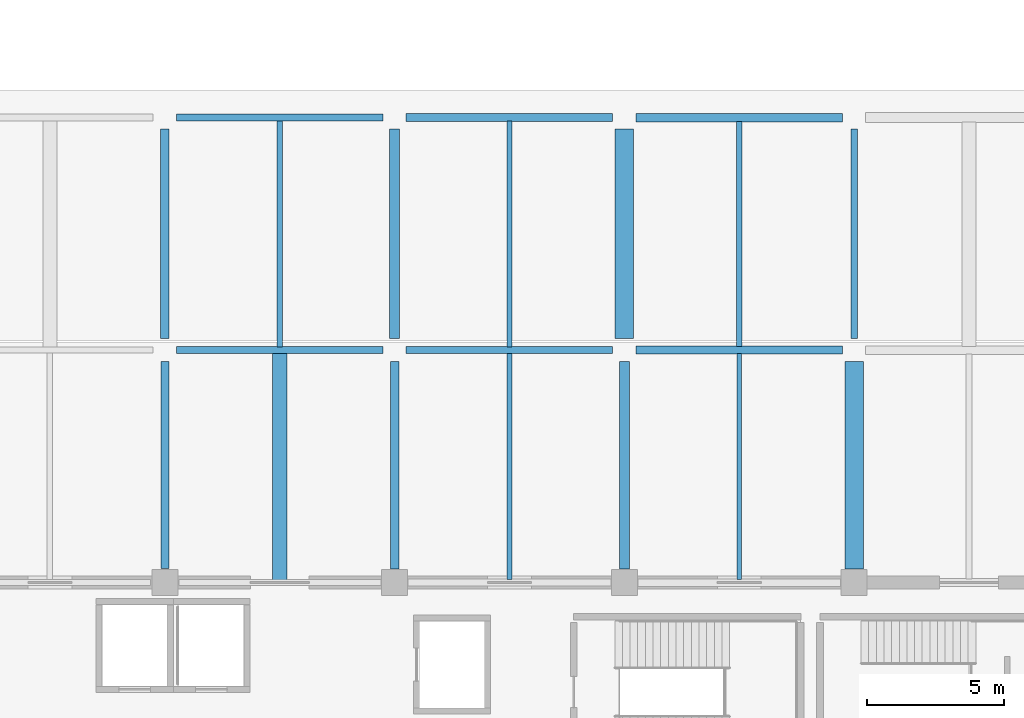
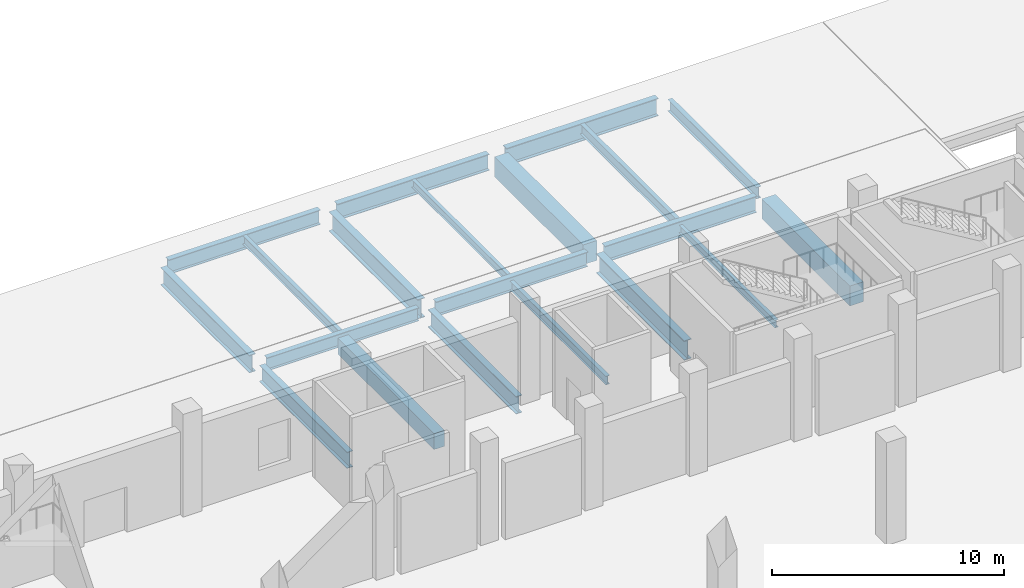
# One storey, part 42 of 107: 20 beams.
"""IFC4 building model written with IfcOpenShell, lengths in metres."""

from ifc_helpers import new_model, si_unit, direction, frame, origin, origin_2d, place, context, subcontext, project, spatial, rectangle, i_section, extrude, material, material_profile, profile_set, type_object, element, save


model = new_model("IFC4")

# Units and contexts
model_context = context("Model", 3, precision=1e-05, world=origin(), true_north=direction((0.0, 1.0)))
body_context = subcontext(model_context, "Body", "Model", "MODEL_VIEW")
ifc_project = project(units=[si_unit("LENGTHUNIT", "METRE"), si_unit("AREAUNIT", "SQUARE_METRE"), si_unit("VOLUMEUNIT", "CUBIC_METRE"), si_unit("PLANEANGLEUNIT", "RADIAN"), si_unit("MASSUNIT", "GRAM", prefix="KILO")], contexts=[model_context])

# Site, building, storey
site_placement = place(None, origin())
site = spatial("IfcSite", under=ifc_project, at=site_placement, CompositionType="ELEMENT")
building_placement = place(site_placement, origin())
building = spatial("IfcBuilding", under=site, at=building_placement, Name="Solvento Point Concert Hall", CompositionType="ELEMENT")
storey_placement = place(building_placement, origin())
storey = spatial("IfcBuildingStorey", under=building, at=storey_placement, Name="L00", CompositionType="ELEMENT", Elevation=0.0)

# Beams
ifc_material_1 = material(Name="Concrete C35/45", Category="concrete")
ifc_material_profile_1 = material_profile(ifc_material_1, rectangle(XDim=0.52001953125, YDim=0.840087890625, at=origin_2d()), Name="RC-BM-520X840")
ifc_profile_set_1 = profile_set([ifc_material_profile_1], Name="Concrete C35/45")
beam_type_1 = type_object("IfcBeamType", Name="Beam_RC_520x840", PredefinedType="BEAM", material=ifc_profile_set_1)
beam_1_placement = place(storey_placement, frame((103.800048828125, 93.592041015625, -0.85400390625), z_axis=(0.0, 1.0, 0.0), x_axis=(-1.0, 0.0, 0.0)))
element("IfcBeam", 1, at=beam_1_placement, inside=storey, type_object=beam_type_1, Name="Secondary floor joist B-54 L00", PredefinedType="BEAM", context=body_context, shape_type="SweptSolid", body=[
    extrude(rectangle(XDim=0.52001953125, YDim=0.840087890625, at=origin_2d()), origin(), (0.0, 0.0, 1.0), 8.294921875),
])
ifc_material_2 = material(Name="Structural Steel ASTM A992 Grade 50", Category="steel")
ifc_material_profile_2 = material_profile(ifc_material_2, i_section(OverallWidth=0.20947265625, OverallDepth=0.532958984375, WebThickness=0.01025390625, FlangeThickness=0.015625, at=origin_2d()), Name="W21X62")
ifc_profile_set_2 = profile_set([ifc_material_profile_2], Name="Structural Steel ASTM A992 Grade 50")
beam_type_2 = type_object("IfcBeamType", Name="Beam_W21X62", PredefinedType="BEAM", material=ifc_profile_set_2)
beam_2_placement = place(storey_placement, frame((120.60009765625, 102.131103515625, -0.510498046875), z_axis=(0.0, 1.0, 0.0), x_axis=(-1.0, 0.0, 0.0)))
element("IfcBeam", 2, at=beam_2_placement, inside=storey, type_object=beam_type_2, Name="Secondary floor joist B-25 L00", PredefinedType="BEAM", context=body_context, shape_type="SweptSolid", body=[
    extrude(i_section(OverallWidth=0.20947265625, OverallDepth=0.532958984375, WebThickness=0.01025390625, FlangeThickness=0.015625, at=origin_2d()), origin(), (0.0, 0.0, 1.0), 8.22998046875),
])
ifc_material_3 = material(Name="Structural Steel ASTM A992 Grade 50", Category="steel")
ifc_material_profile_3 = material_profile(ifc_material_3, i_section(OverallWidth=0.228515625, OverallDepth=0.60791015625, WebThickness=0.01123046875, FlangeThickness=0.017333984375, at=origin_2d()), Name="W24X76")
ifc_profile_set_3 = profile_set([ifc_material_profile_3], Name="Structural Steel ASTM A992 Grade 50")
beam_type_3 = type_object("IfcBeamType", Name="Beam_W24X76", PredefinedType="BEAM", material=ifc_profile_set_3)
beam_3_placement = place(storey_placement, frame((124.800048828125, 102.424072265625, -0.548095703125), z_axis=(0.0, 1.0, 0.0), x_axis=(-1.0, 0.0, 0.0)))
element("IfcBeam", 3, at=beam_3_placement, inside=storey, type_object=beam_type_3, Name="Primary girder B-42 L00", PredefinedType="BEAM", context=body_context, shape_type="SweptSolid", body=[
    extrude(i_section(OverallWidth=0.228515625, OverallDepth=0.60791015625, WebThickness=0.01123046875, FlangeThickness=0.017333984375, at=origin_2d()), origin(), (0.0, 0.0, 1.0), 7.65185546875),
])
ifc_material_4 = material(Name="Concrete C35/45", Category="concrete")
ifc_material_profile_4 = material_profile(ifc_material_4, rectangle(XDim=0.679931640625, YDim=1.050048828125, at=origin_2d()), Name="RC-BM-680X1050")
ifc_profile_set_4 = profile_set([ifc_material_profile_4], Name="Concrete C35/45")
beam_type_4 = type_object("IfcBeamType", Name="Girder_RC_680x1050", PredefinedType="USERDEFINED", material=ifc_profile_set_4)
beam_4_placement = place(storey_placement, frame((116.39990234375, 102.424072265625, -0.76904296875), z_axis=(0.0, 1.0, 0.0), x_axis=(-1.0, 0.0, 0.0)))
element("IfcBeam", 4, at=beam_4_placement, inside=storey, type_object=beam_type_4, Name="Primary girder B-91 L00", ObjectType="GIRDER", PredefinedType="USERDEFINED", context=body_context, shape_type="SweptSolid", body=[
    extrude(rectangle(XDim=0.679931640625, YDim=1.050048828125, at=origin_2d()), origin(), (0.0, 0.0, 1.0), 7.65185546875),
])
beam_5_placement = place(storey_placement, frame((124.800048828125, 93.993896484375, -0.76904296875), z_axis=(0.0, 1.0, 0.0), x_axis=(-1.0, 0.0, 0.0)))
element("IfcBeam", 5, at=beam_5_placement, inside=storey, type_object=beam_type_4, Name="Primary girder B-91 L00", ObjectType="GIRDER", PredefinedType="USERDEFINED", context=body_context, shape_type="SweptSolid", body=[
    extrude(rectangle(XDim=0.679931640625, YDim=1.050048828125, at=origin_2d()), origin(), (0.0, 0.0, 1.0), 7.58203125),
])
ifc_material_5 = material(Name="Structural Steel ASTM A992 Grade 50", Category="steel")
ifc_material_profile_5 = material_profile(ifc_material_5, i_section(OverallWidth=0.256103515625, OverallDepth=0.693115234375, WebThickness=0.014404296875, FlangeThickness=0.023681640625, at=origin_2d()), Name="W27X114")
ifc_profile_set_5 = profile_set([ifc_material_profile_5], Name="Structural Steel ASTM A992 Grade 50")
beam_type_5 = type_object("IfcBeamType", Name="Girder_W27X114", PredefinedType="USERDEFINED", material=ifc_profile_set_5)
beam_6_placement = place(storey_placement, frame((100.02392578125, 102.0, -0.590576171875), z_axis=(1.0, 0.0, 0.0), x_axis=(0.0, 1.0, 0.0)))
element("IfcBeam", 6, at=beam_6_placement, inside=storey, type_object=beam_type_5, Name="Primary girder B-23 L00", ObjectType="GIRDER", PredefinedType="USERDEFINED", context=body_context, shape_type="SweptSolid", body=[
    extrude(i_section(OverallWidth=0.256103515625, OverallDepth=0.693115234375, WebThickness=0.014404296875, FlangeThickness=0.023681640625, at=origin_2d()), origin(), (0.0, 0.0, 1.0), 7.552001953125),
])
ifc_material_6 = material(Name="Structural Steel ASTM A992 Grade 50", Category="steel")
ifc_material_profile_6 = material_profile(ifc_material_6, i_section(OverallWidth=0.26806640625, OverallDepth=0.77001953125, WebThickness=0.015625, FlangeThickness=0.025390625, at=origin_2d()), Name="W30X132")
ifc_profile_set_6 = profile_set([ifc_material_profile_6], Name="Structural Steel ASTM A992 Grade 50")
beam_type_6 = type_object("IfcBeamType", Name="Girder_W30X132", PredefinedType="USERDEFINED", material=ifc_profile_set_6)
for number, where, z_axis, x_axis, name in (
    (7, (108.424072265625, 102.0, -0.62890625), (1.0, 0.0, 0.0), (0.0, 1.0, 0.0), "Primary girder B-68 L00"),
    (8, (100.02392578125, 110.5, -0.62890625), (1.0, 0.0, 0.0), (0.0, 1.0, 0.0), "Primary girder B-68 L00"),
):
    element("IfcBeam", number, at=place(storey_placement, frame(where, z_axis=z_axis, x_axis=x_axis)), inside=storey, type_object=beam_type_6, Name=name, ObjectType="GIRDER", PredefinedType="USERDEFINED", context=body_context, shape_type="SweptSolid", body=[
        extrude(i_section(OverallWidth=0.26806640625, OverallDepth=0.77001953125, WebThickness=0.015625, FlangeThickness=0.025390625, at=origin_2d()), origin(), (0.0, 0.0, 1.0), 7.552001953125),
    ])
ifc_material_7 = material(Name="Structural Steel ASTM A992 Grade 50", Category="steel")
ifc_material_profile_7 = material_profile(ifc_material_7, i_section(OverallWidth=0.2919921875, OverallDepth=0.85888671875, WebThickness=0.01708984375, FlangeThickness=0.031005859375, at=origin_2d()), Name="W33X169")
ifc_profile_set_7 = profile_set([ifc_material_profile_7], Name="Structural Steel ASTM A992 Grade 50")
beam_type_7 = type_object("IfcBeamType", Name="Girder_W33X169", PredefinedType="USERDEFINED", material=ifc_profile_set_7)
for number, where, z_axis, x_axis, name in (
    (9, (116.823974609375, 102.0, -0.673583984375), (1.0, 0.0, 0.0), (0.0, 1.0, 0.0), "Primary girder B-33 L00"),
    (10, (108.424072265625, 110.5, -0.673583984375), (1.0, 0.0, 0.0), (0.0, 1.0, 0.0), "Primary girder B-33 L00"),
):
    element("IfcBeam", number, at=place(storey_placement, frame(where, z_axis=z_axis, x_axis=x_axis)), inside=storey, type_object=beam_type_7, Name=name, ObjectType="GIRDER", PredefinedType="USERDEFINED", context=body_context, shape_type="SweptSolid", body=[
        extrude(i_section(OverallWidth=0.2919921875, OverallDepth=0.85888671875, WebThickness=0.01708984375, FlangeThickness=0.031005859375, at=origin_2d()), origin(), (0.0, 0.0, 1.0), 7.552001953125),
    ])
beam_7_placement = place(storey_placement, frame((99.60009765625, 94.01904296875, -0.673583984375), z_axis=(0.0, 1.0, 0.0), x_axis=(-1.0, 0.0, 0.0)))
element("IfcBeam", 11, at=beam_7_placement, inside=storey, type_object=beam_type_7, Name="Primary girder B-33 L00", ObjectType="GIRDER", PredefinedType="USERDEFINED", context=body_context, shape_type="SweptSolid", body=[
    extrude(i_section(OverallWidth=0.2919921875, OverallDepth=0.85888671875, WebThickness=0.01708984375, FlangeThickness=0.031005859375, at=origin_2d()), origin(), (0.0, 0.0, 1.0), 7.556884765625),
])
ifc_material_8 = material(Name="Structural Steel ASTM A992 Grade 50", Category="steel")
ifc_material_profile_8 = material_profile(ifc_material_8, i_section(OverallWidth=0.3076171875, OverallDepth=0.927001953125, WebThickness=0.019287109375, FlangeThickness=0.031982421875, at=origin_2d()), Name="W36X194")
ifc_profile_set_8 = profile_set([ifc_material_profile_8], Name="Structural Steel ASTM A992 Grade 50")
beam_type_8 = type_object("IfcBeamType", Name="Girder_W36X194", PredefinedType="USERDEFINED", material=ifc_profile_set_8)
beam_8_placement = place(storey_placement, frame((116.823974609375, 110.5, -0.70751953125), z_axis=(1.0, 0.0, 0.0), x_axis=(0.0, 1.0, 0.0)))
element("IfcBeam", 12, at=beam_8_placement, inside=storey, type_object=beam_type_8, Name="Primary girder B-61 L00", ObjectType="GIRDER", PredefinedType="USERDEFINED", context=body_context, shape_type="SweptSolid", body=[
    extrude(i_section(OverallWidth=0.3076171875, OverallDepth=0.927001953125, WebThickness=0.019287109375, FlangeThickness=0.031982421875, at=origin_2d()), origin(), (0.0, 0.0, 1.0), 7.552001953125),
])
beam_9_placement = place(storey_placement, frame((99.60009765625, 102.424072265625, -0.70751953125), z_axis=(0.0, 1.0, 0.0), x_axis=(-1.0, 0.0, 0.0)))
element("IfcBeam", 13, at=beam_9_placement, inside=storey, type_object=beam_type_8, Name="Primary girder B-61 L00", ObjectType="GIRDER", PredefinedType="USERDEFINED", context=body_context, shape_type="SweptSolid", body=[
    extrude(i_section(OverallWidth=0.3076171875, OverallDepth=0.927001953125, WebThickness=0.019287109375, FlangeThickness=0.031982421875, at=origin_2d()), origin(), (0.0, 0.0, 1.0), 7.65185546875),
])
beam_10_placement = place(storey_placement, frame((108.0, 93.993896484375, -0.70751953125), z_axis=(0.0, 1.0, 0.0), x_axis=(-1.0, 0.0, 0.0)))
element("IfcBeam", 14, at=beam_10_placement, inside=storey, type_object=beam_type_8, Name="Primary girder B-61 L00", ObjectType="GIRDER", PredefinedType="USERDEFINED", context=body_context, shape_type="SweptSolid", body=[
    extrude(i_section(OverallWidth=0.3076171875, OverallDepth=0.927001953125, WebThickness=0.019287109375, FlangeThickness=0.031982421875, at=origin_2d()), origin(), (0.0, 0.0, 1.0), 7.58203125),
])
ifc_material_9 = material(Name="Structural Steel ASTM A992 Grade 50", Category="steel")
ifc_material_profile_9 = material_profile(ifc_material_9, i_section(OverallWidth=0.361083984375, OverallDepth=1.02587890625, WebThickness=0.01904296875, FlangeThickness=0.0361328125, at=origin_2d()), Name="W40X249")
ifc_profile_set_9 = profile_set([ifc_material_profile_9], Name="Structural Steel ASTM A992 Grade 50")
beam_type_9 = type_object("IfcBeamType", Name="Girder_W40X249", PredefinedType="USERDEFINED", material=ifc_profile_set_9)
beam_11_placement = place(storey_placement, frame((108.0, 102.424072265625, -0.757080078125), z_axis=(0.0, 1.0, 0.0), x_axis=(-1.0, 0.0, 0.0)))
element("IfcBeam", 15, at=beam_11_placement, inside=storey, type_object=beam_type_9, Name="Primary girder B-29 L00", ObjectType="GIRDER", PredefinedType="USERDEFINED", context=body_context, shape_type="SweptSolid", body=[
    extrude(i_section(OverallWidth=0.361083984375, OverallDepth=1.02587890625, WebThickness=0.01904296875, FlangeThickness=0.0361328125, at=origin_2d()), origin(), (0.0, 0.0, 1.0), 7.65185546875),
])
beam_12_placement = place(storey_placement, frame((116.39990234375, 93.993896484375, -0.757080078125), z_axis=(0.0, 1.0, 0.0), x_axis=(-1.0, 0.0, 0.0)))
element("IfcBeam", 16, at=beam_12_placement, inside=storey, type_object=beam_type_9, Name="Primary girder B-29 L00", ObjectType="GIRDER", PredefinedType="USERDEFINED", context=body_context, shape_type="SweptSolid", body=[
    extrude(i_section(OverallWidth=0.361083984375, OverallDepth=1.02587890625, WebThickness=0.01904296875, FlangeThickness=0.0361328125, at=origin_2d()), origin(), (0.0, 0.0, 1.0), 7.58203125),
])
ifc_material_10 = material(Name="Structural Steel ASTM A992 Grade 50", Category="steel")
ifc_material_profile_10 = material_profile(ifc_material_10, i_section(OverallWidth=0.177490234375, OverallDepth=0.403076171875, WebThickness=0.007568359375, FlangeThickness=0.010986328125, at=origin_2d()), Name="W16X36")
ifc_profile_set_10 = profile_set([ifc_material_profile_10], Name="Structural Steel ASTM A992 Grade 50")
beam_type_10 = type_object("IfcBeamType", Name="Joist_W16X36", PredefinedType="JOIST", material=ifc_profile_set_10)
for number, where, z_axis, x_axis, name in (
    (17, (112.199951171875, 102.118896484375, -0.445556640625), (0.0, 1.0, 0.0), (-1.0, 0.0, 0.0), "Secondary floor joist B-30 L00"),
    (18, (120.60009765625, 93.618896484375, -0.635498046875), (0.0, 1.0, 0.0), (-1.0, 0.0, 0.0), "Secondary floor joist B-30 L00"),
):
    element("IfcBeam", number, at=place(storey_placement, frame(where, z_axis=z_axis, x_axis=x_axis)), inside=storey, type_object=beam_type_10, Name=name, PredefinedType="JOIST", context=body_context, shape_type="SweptSolid", body=[
        extrude(i_section(OverallWidth=0.177490234375, OverallDepth=0.403076171875, WebThickness=0.007568359375, FlangeThickness=0.010986328125, at=origin_2d()), origin(), (0.0, 0.0, 1.0), 8.25),
    ])
ifc_material_11 = material(Name="Structural Steel ASTM A992 Grade 50", Category="steel")
ifc_material_profile_11 = material_profile(ifc_material_11, i_section(OverallWidth=0.1904296875, OverallDepth=0.45703125, WebThickness=0.009033203125, FlangeThickness=0.014404296875, at=origin_2d()), Name="W18X50")
ifc_profile_set_11 = profile_set([ifc_material_profile_11], Name="Structural Steel ASTM A992 Grade 50")
beam_type_11 = type_object("IfcBeamType", Name="Joist_W18X50", PredefinedType="JOIST", material=ifc_profile_set_11)
for number, where, z_axis, x_axis, name in (
    (19, (103.800048828125, 102.113037109375, -0.472412109375), (0.0, 1.0, 0.0), (-1.0, 0.0, 0.0), "Secondary floor joist B-66 L00"),
    (20, (112.199951171875, 93.613037109375, -0.66259765625), (0.0, 1.0, 0.0), (-1.0, 0.0, 0.0), "Secondary floor joist B-66 L00"),
):
    element("IfcBeam", number, at=place(storey_placement, frame(where, z_axis=z_axis, x_axis=x_axis)), inside=storey, type_object=beam_type_11, Name=name, PredefinedType="JOIST", context=body_context, shape_type="SweptSolid", body=[
        extrude(i_section(OverallWidth=0.1904296875, OverallDepth=0.45703125, WebThickness=0.009033203125, FlangeThickness=0.014404296875, at=origin_2d()), origin(), (0.0, 0.0, 1.0), 8.26806640625),
    ])

save(model, "model.ifc")
